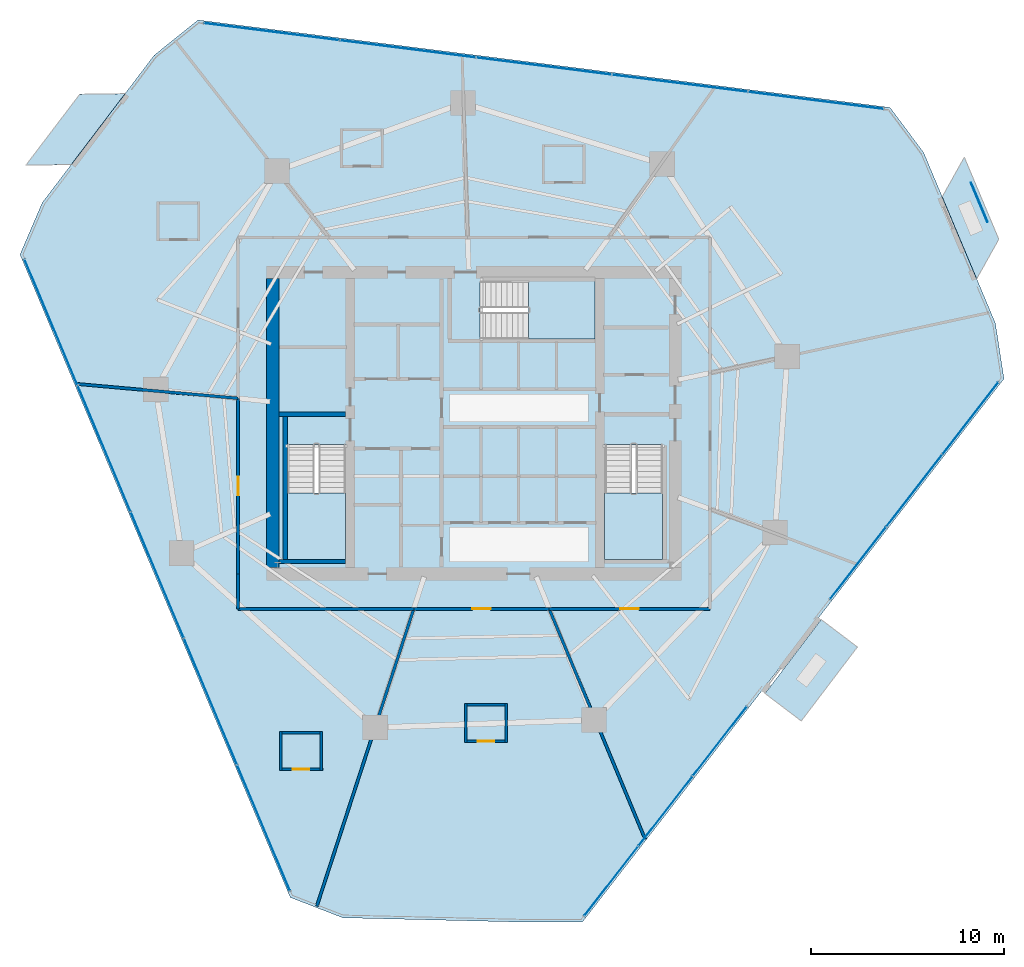
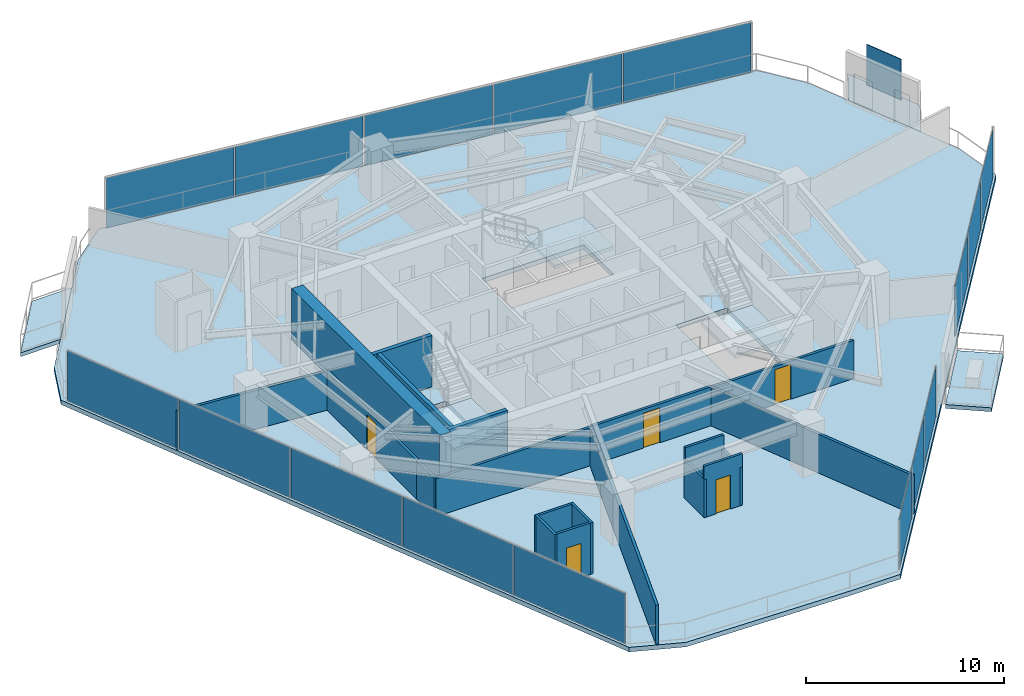
# One storey, part 25 of 30: 20 walls, 17 plates, 7 slabs, 5 doors, 5 openings, 7 elements without a shape of their own.
"""IFC4 building model written with IfcOpenShell, lengths in metres."""

import ifcopenshell
import ifcopenshell.guid

model = None  # the IFC model being written
_history = None  # IfcOwnerHistory: only IFC2X3 demands one
_inside = {}  # id of a spatial element -> (the spatial element, [elements in it])
_under = {}  # id of a project, library or spatial element -> (it, [spatial elements below it])
_declared = {}  # id of a project -> (the project, [libraries it declares])
_typed = {}  # id of a type object -> (the type object, [elements of that type])
_made_of = {}  # id of a material, layer set ... -> (it, [elements and type objects made of it])


def new_model(schema):
    """Start an empty IFC model of exactly this schema.

    Asked for "IFC4X3", IfcOpenShell would pick the latest addendum, in which some entities
    have other attributes; the version numbers below select the first issue.
    IFC2X3 requires an IfcOwnerHistory on every rooted entity: one is made here for all.
    """
    global model, _history
    if schema == "IFC4X3":
        model = ifcopenshell.file(schema_version=(4, 3, 0, 0))
    else:
        model = ifcopenshell.file(schema=schema)
    _inside.clear()
    _under.clear()
    _declared.clear()
    _typed.clear()
    _made_of.clear()
    _history = None
    if model.schema == "IFC2X3":
        org = make("IfcOrganization", Name="unknown")
        user = make(
            "IfcPersonAndOrganization",
            ThePerson=make("IfcPerson", FamilyName="unknown"),
            TheOrganization=org,
        )
        app = make(
            "IfcApplication",
            ApplicationDeveloper=org,
            Version="unknown",
            ApplicationFullName="unknown",
            ApplicationIdentifier="unknown",
        )
        _history = make(
            "IfcOwnerHistory",
            OwningUser=user,
            OwningApplication=app,
            ChangeAction="ADDED",
            CreationDate=0,
        )
    return model


def make(cls, **values):
    """One entity of the class cls with the attributes given. An attribute that is None is left unset."""
    return model.create_entity(
        cls, **{name: value for name, value in values.items() if value is not None}
    )


def rooted(cls, **values):
    """An entity with a GlobalId (a new one), such as an element, a storey or a relation."""
    return make(cls, GlobalId=ifcopenshell.guid.new(), OwnerHistory=_history, **values)


def si_unit(unit_type, name, prefix=None):
    """IfcSIUnit, for example si_unit("LENGTHUNIT", "METRE", prefix="MILLI")."""
    return make("IfcSIUnit", UnitType=unit_type, Prefix=prefix, Name=name)


def assignment(units):
    """IfcUnitAssignment: the units of a project."""
    return None if units is None else make("IfcUnitAssignment", Units=units)


def point(xyz):
    """IfcCartesianPoint."""
    return None if xyz is None else make("IfcCartesianPoint", Coordinates=xyz)


def direction(xyz):
    """IfcDirection."""
    return None if xyz is None else make("IfcDirection", DirectionRatios=xyz)


def frame(location, z_axis=None, x_axis=None):
    """IfcAxis2Placement3D, a coordinate frame: its origin and axes. An axis left out is left unset."""
    return make(
        "IfcAxis2Placement3D",
        Location=point(location),
        Axis=direction(z_axis),
        RefDirection=direction(x_axis),
    )


def frame_2d(location, x_axis=None):
    """IfcAxis2Placement2D, a coordinate frame in the plane: its origin and x axis."""
    return make(
        "IfcAxis2Placement2D", Location=point(location), RefDirection=direction(x_axis)
    )


def origin():
    """The frame at (0, 0, 0) with its axes left unset."""
    return frame((0.0, 0.0, 0.0))


def origin_2d():
    """The frame at (0, 0) in the plane with its x axis left unset."""
    return frame_2d((0.0, 0.0))


def place(relative_to, where):
    """IfcLocalPlacement: puts the frame where relative to a parent placement (None: the world)."""
    return make(
        "IfcLocalPlacement", PlacementRelTo=relative_to, RelativePlacement=where
    )


def context(
    kind, dimensions, precision=None, world=None, true_north=None, identifier=None
):
    """IfcGeometricRepresentationContext, for example the 3D "Model" context."""
    return make(
        "IfcGeometricRepresentationContext",
        ContextIdentifier=identifier,
        ContextType=kind,
        CoordinateSpaceDimension=dimensions,
        Precision=precision,
        WorldCoordinateSystem=world,
        TrueNorth=true_north,
    )


def subcontext(parent, identifier, kind, view, scale=None):
    """IfcGeometricRepresentationSubContext, for example "Body" below "Model"."""
    return make(
        "IfcGeometricRepresentationSubContext",
        ContextIdentifier=identifier,
        ContextType=kind,
        ParentContext=parent,
        TargetScale=scale,
        TargetView=view,
    )


def project(units=None, contexts=None):
    """IfcProject with its units and contexts."""
    return rooted(
        "IfcProject",
        Name="project",
        RepresentationContexts=contexts,
        UnitsInContext=assignment(units),
    )


def spatial(cls, under=None, at=None, **own):
    """A site, building, storey or space (cls), placed at a placement, below another one or the project."""
    s = rooted(cls, ObjectPlacement=at, **own)
    if under is not None:
        _under.setdefault(under.id(), (under, []))[1].append(s)
    return s


def polyline(points):
    """IfcPolyline through the points."""
    return make("IfcPolyline", Points=[point(p) for p in points])


def profile(cls, at=None, kind="AREA", **sizes):
    """A parametric profile (cls). Its sizes go by their IFC names, for example OverallWidth=200.0."""
    return make(cls, ProfileType=kind, Position=at, **sizes)


def rectangle(**sizes):
    """IfcRectangleProfileDef."""
    return profile("IfcRectangleProfileDef", **sizes)


def outline(outer, holes=None, kind="AREA"):
    """IfcArbitraryClosedProfileDef: a profile drawn as a closed curve; with holes, ...WithVoids."""
    if holes is None:
        return make("IfcArbitraryClosedProfileDef", ProfileType=kind, OuterCurve=outer)
    return make(
        "IfcArbitraryProfileDefWithVoids",
        ProfileType=kind,
        OuterCurve=outer,
        InnerCurves=holes,
    )


def extrude(swept, where, along, depth):
    """IfcExtrudedAreaSolid: the profile swept, set in the frame where, extruded along a direction by depth."""
    return make(
        "IfcExtrudedAreaSolid",
        SweptArea=swept,
        Position=where,
        ExtrudedDirection=direction(along),
        Depth=depth,
    )


def shape(context_of_items, identifier, shape_type, items):
    """IfcShapeRepresentation: the items that make up one representation, for example the "Body"."""
    return make(
        "IfcShapeRepresentation",
        ContextOfItems=context_of_items,
        RepresentationIdentifier=identifier,
        RepresentationType=shape_type,
        Items=items,
    )


def material(Name=None, Category=None):
    """IfcMaterial."""
    return make("IfcMaterial", Name=Name, Category=Category)


def layer(
    of_material, thickness, ventilated=None, Name=None, Category=None, Priority=None
):
    """IfcMaterialLayer: one layer of a wall or slab, of a material (None: an air gap)."""
    return make(
        "IfcMaterialLayer",
        Material=of_material,
        LayerThickness=thickness,
        IsVentilated=ventilated,
        Name=Name,
        Category=Category,
        Priority=Priority,
    )


def layer_set(layers, Name=None):
    """IfcMaterialLayerSet."""
    return make("IfcMaterialLayerSet", MaterialLayers=layers, LayerSetName=Name)


def made_of(thing, what):
    """Note that an element or type object is made of a material, layer set ...; save() writes the relation."""
    if what is not None:
        _made_of.setdefault(what.id(), (what, []))[1].append(thing)
    return thing


def type_object(cls, material=None, **own):
    """A type object (cls), such as IfcWallType, which elements share."""
    return made_of(rooted(cls, **own), material)


def element(
    cls,
    number,
    at=None,
    inside=None,
    cuts=None,
    type_object=None,
    material=None,
    context=None,
    identifier="Body",
    shape_type=None,
    held_by="IfcProductDefinitionShape",
    body=None,
    shapes=None,
    **own,
):
    """One element of the class cls, such as IfcWall. Its Tag is "e" and its number.

    at: its placement. inside: the storey or other place that contains it. cuts: it is an
    opening in that element (IfcRelVoidsElement). A single representation is given by context,
    identifier, shape_type and body (its items); several are given by shapes. held_by: the class
    of the entity that holds the representations. save() writes the other relations.
    """
    e = rooted(cls, Tag="e%d" % number, ObjectPlacement=at, **own)
    if body is not None:
        shapes = [shape(context, identifier, shape_type, body)]
    if shapes is not None:
        e.Representation = make(held_by, Representations=shapes)
    if inside is not None:
        _inside.setdefault(inside.id(), (inside, []))[1].append(e)
    if cuts is not None:
        rooted(
            "IfcRelVoidsElement", RelatingBuildingElement=cuts, RelatedOpeningElement=e
        )
    if type_object is not None:
        _typed.setdefault(type_object.id(), (type_object, []))[1].append(e)
    return made_of(e, material)


def fill(opening, filler):
    """IfcRelFillsElement: the door or window that sits in an opening."""
    return rooted(
        "IfcRelFillsElement",
        RelatingOpeningElement=opening,
        RelatedBuildingElement=filler,
    )


def aggregate(whole, parts):
    """IfcRelAggregates: a whole, such as a stair, and the parts it consists of."""
    return rooted("IfcRelAggregates", RelatingObject=whole, RelatedObjects=parts)


def save(model, path):
    """Write the relations noted so far, then the file.

    IfcRelAggregates (storeys below a building ...), IfcRelContainedInSpatialStructure (elements
    in a storey), IfcRelDefinesByType, IfcRelAssociatesMaterial and IfcRelDeclares: one each for
    every whole, place, type object, material and project.
    """
    for whole, parts in _under.values():
        aggregate(whole, parts)
    for where, things in _inside.values():
        rooted(
            "IfcRelContainedInSpatialStructure",
            RelatedElements=things,
            RelatingStructure=where,
        )
    for kind, things in _typed.values():
        rooted("IfcRelDefinesByType", RelatedObjects=things, RelatingType=kind)
    for what, things in _made_of.values():
        rooted("IfcRelAssociatesMaterial", RelatedObjects=things, RelatingMaterial=what)
    for by, libraries in _declared.values():
        rooted("IfcRelDeclares", RelatingContext=by, RelatedDefinitions=libraries)
    model.write(path)


model = new_model("IFC4")

# Units and contexts
model_context = context("Model", 3, precision=1e-05, world=origin(), true_north=direction((0.0, 1.0)))
body_context = subcontext(model_context, "Body", "Model", "MODEL_VIEW")
ifc_project = project(units=[si_unit("LENGTHUNIT", "METRE"), si_unit("AREAUNIT", "SQUARE_METRE"), si_unit("VOLUMEUNIT", "CUBIC_METRE"), si_unit("PLANEANGLEUNIT", "RADIAN"), si_unit("MASSUNIT", "GRAM", prefix="KILO")], contexts=[model_context])

# Site, building, storey
site_placement = place(None, origin())
site = spatial("IfcSite", under=ifc_project, at=site_placement, CompositionType="ELEMENT")
building_placement = place(site_placement, origin())
building = spatial("IfcBuilding", under=site, at=building_placement, Name="Qarnah Convention Tower", CompositionType="ELEMENT")
storey_placement = place(building_placement, frame((0.0, 0.0, 40.800048828125)))
storey = spatial("IfcBuildingStorey", under=building, at=storey_placement, Name="L09", CompositionType="ELEMENT", Elevation=40.800048828125)

# Curtain wall, plates
ifc_material_1 = material(Name="Tempered Low-E dark glass", Category="glass")
ifc_layer_1 = layer(ifc_material_1, 0.16796875)
ifc_layer_set_1 = layer_set([ifc_layer_1], Name="Tempered Low-E dark glass")
curtain_wall_type = type_object("IfcCurtainWallType", Name="CWS-01", PredefinedType="NOTDEFINED", material=ifc_layer_set_1)
curtain_wall_1_placement = place(storey_placement, origin())
curtain_wall_1 = element("IfcCurtainWall", 1, at=curtain_wall_1_placement, inside=storey, type_object=curtain_wall_type, Name="L09 unitised curtain wall CW-L09-F1", PredefinedType="NOTDEFINED")
ifc_layer_2 = layer(ifc_material_1, 0.028076171875)
ifc_layer_set_2 = layer_set([ifc_layer_2], Name="Tempered Low-E dark glass")
plate_type_1 = type_object("IfcPlateType", Name="PNL-T1", PredefinedType="CURTAIN_PANEL", material=ifc_layer_set_2)
plate_1_placement = place(storey_placement, frame((26.316162109375, 5.470458984375, 0.0400390625), z_axis=(0.0, 0.0, 1.0), x_axis=(-0.387513462631, 0.921864044358, 0.0)))
plate_1 = element("IfcPlate", 2, at=plate_1_placement, type_object=plate_type_1, Name="CW-L09-F1 curtain panel 1.1", PredefinedType="CURTAIN_PANEL", context=body_context, shape_type="SweptSolid", body=[
    extrude(rectangle(XDim=7.0107421875, YDim=0.028076171875, at=origin_2d()), origin(), (0.0, 0.0, 1.0), 3.090087890625),
])
plate_2_placement = place(storey_placement, frame((23.568359375, 12.007080078125, 0.0400390625), z_axis=(0.0, 0.0, 1.0), x_axis=(-0.387513462631, 0.921864044358, 0.0)))
plate_2 = element("IfcPlate", 3, at=plate_2_placement, type_object=plate_type_1, Name="CW-L09-F1 curtain panel 2.1", PredefinedType="CURTAIN_PANEL", context=body_context, shape_type="SweptSolid", body=[
    extrude(rectangle(XDim=7.0107421875, YDim=0.028076171875, at=origin_2d()), origin(), (0.0, 0.0, 1.0), 3.090087890625),
])
plate_3_placement = place(storey_placement, frame((20.820556640625, 18.5439453125, 0.0400390625), z_axis=(0.0, 0.0, 1.0), x_axis=(-0.387513462631, 0.921864044358, 0.0)))
plate_3 = element("IfcPlate", 4, at=plate_3_placement, type_object=plate_type_1, Name="CW-L09-F1 curtain panel 3.1", PredefinedType="CURTAIN_PANEL", context=body_context, shape_type="SweptSolid", body=[
    extrude(rectangle(XDim=7.0107421875, YDim=0.028076171875, at=origin_2d()), origin(), (0.0, 0.0, 1.0), 3.090087890625),
])
plate_4_placement = place(storey_placement, frame((18.07275390625, 25.080810546875, 0.0400390625), z_axis=(0.0, 0.0, 1.0), x_axis=(-0.387513462631, 0.921864044358, 0.0)))
plate_4 = element("IfcPlate", 5, at=plate_4_placement, type_object=plate_type_1, Name="CW-L09-F1 curtain panel 4.1", PredefinedType="CURTAIN_PANEL", context=body_context, shape_type="SweptSolid", body=[
    extrude(rectangle(XDim=7.0107421875, YDim=0.028076171875, at=origin_2d()), origin(), (0.0, 0.0, 1.0), 3.090087890625),
])
plate_5_placement = place(storey_placement, frame((15.324951171875, 31.61767578125, 0.0400390625), z_axis=(0.0, 0.0, 1.0), x_axis=(-0.387513462631, 0.921864044358, 0.0)))
plate_5 = element("IfcPlate", 6, at=plate_5_placement, type_object=plate_type_1, Name="CW-L09-F1 curtain panel 5.1", PredefinedType="CURTAIN_PANEL", context=body_context, shape_type="SweptSolid", body=[
    extrude(rectangle(XDim=7.0107421875, YDim=0.028076171875, at=origin_2d()), origin(), (0.0, 0.0, 1.0), 3.090087890625),
])
aggregate(curtain_wall_1, [plate_1, plate_2, plate_3, plate_4, plate_5])

curtain_wall_2_placement = place(storey_placement, origin())
curtain_wall_2 = element("IfcCurtainWall", 7, at=curtain_wall_2_placement, inside=storey, type_object=curtain_wall_type, Name="L09 unitised curtain wall CW-L09-F2", PredefinedType="NOTDEFINED")
plate_6_placement = place(storey_placement, frame((26.726318359375, 46.6376953125, 0.0400390625), z_axis=(0.0, 0.0, 1.0), x_axis=(0.992116488383, -0.125319086651, 0.0)))
plate_6 = element("IfcPlate", 8, at=plate_6_placement, type_object=plate_type_1, Name="CW-L09-F2 curtain panel 1.1", PredefinedType="CURTAIN_PANEL", context=body_context, shape_type="SweptSolid", body=[
    extrude(rectangle(XDim=7.0107421875, YDim=0.028076171875, at=origin_2d()), origin(), (0.0, 0.0, 1.0), 3.090087890625),
])
plate_7_placement = place(storey_placement, frame((33.76123046875, 45.7490234375, 0.0400390625), z_axis=(0.0, 0.0, 1.0), x_axis=(0.992116488383, -0.125319086651, 0.0)))
plate_7 = element("IfcPlate", 9, at=plate_7_placement, type_object=plate_type_1, Name="CW-L09-F2 curtain panel 2.1", PredefinedType="CURTAIN_PANEL", context=body_context, shape_type="SweptSolid", body=[
    extrude(rectangle(XDim=7.0107421875, YDim=0.028076171875, at=origin_2d()), origin(), (0.0, 0.0, 1.0), 3.090087890625),
])
plate_8_placement = place(storey_placement, frame((40.7958984375, 44.860595703125, 0.0400390625), z_axis=(0.0, 0.0, 1.0), x_axis=(0.992116488383, -0.125319086651, 0.0)))
plate_8 = element("IfcPlate", 10, at=plate_8_placement, type_object=plate_type_1, Name="CW-L09-F2 curtain panel 3.1", PredefinedType="CURTAIN_PANEL", context=body_context, shape_type="SweptSolid", body=[
    extrude(rectangle(XDim=7.0107421875, YDim=0.028076171875, at=origin_2d()), origin(), (0.0, 0.0, 1.0), 3.090087890625),
])
plate_9_placement = place(storey_placement, frame((47.830810546875, 43.971923828125, 0.0400390625), z_axis=(0.0, 0.0, 1.0), x_axis=(0.992116488383, -0.125319086651, 0.0)))
plate_9 = element("IfcPlate", 11, at=plate_9_placement, type_object=plate_type_1, Name="CW-L09-F2 curtain panel 4.1", PredefinedType="CURTAIN_PANEL", context=body_context, shape_type="SweptSolid", body=[
    extrude(rectangle(XDim=7.0107421875, YDim=0.028076171875, at=origin_2d()), origin(), (0.0, 0.0, 1.0), 3.090087890625),
])
plate_10_placement = place(storey_placement, frame((54.865478515625, 43.083251953125, 0.0400390625), z_axis=(0.0, 0.0, 1.0), x_axis=(0.992116488383, -0.125319086651, 0.0)))
plate_10 = element("IfcPlate", 12, at=plate_10_placement, type_object=plate_type_1, Name="CW-L09-F2 curtain panel 5.1", PredefinedType="CURTAIN_PANEL", context=body_context, shape_type="SweptSolid", body=[
    extrude(rectangle(XDim=7.0107421875, YDim=0.028076171875, at=origin_2d()), origin(), (0.0, 0.0, 1.0), 3.090087890625),
])
aggregate(curtain_wall_2, [plate_6, plate_7, plate_8, plate_9, plate_10])

curtain_wall_3_placement = place(storey_placement, origin())
curtain_wall_3 = element("IfcCurtainWall", 13, at=curtain_wall_3_placement, inside=storey, type_object=curtain_wall_type, Name="L09 unitised curtain wall CW-L09-F3", PredefinedType="NOTDEFINED")
plate_11_placement = place(storey_placement, frame((62.860107421875, 26.653564453125, 0.0400390625), z_axis=(0.0, 0.0, 1.0), x_axis=(-0.613064422179, -0.790032919731, 0.0)))
plate_11 = element("IfcPlate", 14, at=plate_11_placement, type_object=plate_type_1, Name="CW-L09-F3 curtain panel 1.1", PredefinedType="CURTAIN_PANEL", context=body_context, shape_type="SweptSolid", body=[
    extrude(rectangle(XDim=4.662841796875, YDim=0.028076171875, at=origin_2d()), origin(), (0.0, 0.0, 1.0), 3.090087890625),
])
plate_12_placement = place(storey_placement, frame((59.952392578125, 22.906494140625, 0.0400390625), z_axis=(0.0, 0.0, 1.0), x_axis=(-0.613064422179, -0.790032919731, 0.0)))
plate_12 = element("IfcPlate", 15, at=plate_12_placement, type_object=plate_type_1, Name="CW-L09-F3 curtain panel 2.1", PredefinedType="CURTAIN_PANEL", context=body_context, shape_type="SweptSolid", body=[
    extrude(rectangle(XDim=4.662841796875, YDim=0.028076171875, at=origin_2d()), origin(), (0.0, 0.0, 1.0), 3.090087890625),
])
plate_13_placement = place(storey_placement, frame((57.044921875, 19.159423828125, 0.0400390625), z_axis=(0.0, 0.0, 1.0), x_axis=(-0.613064422179, -0.790032919731, 0.0)))
plate_13 = element("IfcPlate", 16, at=plate_13_placement, type_object=plate_type_1, Name="CW-L09-F3 curtain panel 3.1", PredefinedType="CURTAIN_PANEL", context=body_context, shape_type="SweptSolid", body=[
    extrude(rectangle(XDim=4.662841796875, YDim=0.028076171875, at=origin_2d()), origin(), (0.0, 0.0, 1.0), 3.090087890625),
])
aggregate(curtain_wall_3, [plate_11, plate_12, plate_13])

curtain_wall_4_placement = place(storey_placement, origin())
curtain_wall_4 = element("IfcCurtainWall", 17, at=curtain_wall_4_placement, inside=storey, type_object=curtain_wall_type, Name="L09 unitised curtain wall CW-L09-F4", PredefinedType="NOTDEFINED")
plate_14_placement = place(storey_placement, frame((49.89990234375, 9.951904296875, 0.0400390625), z_axis=(0.0, 0.0, 1.0), x_axis=(-0.613073122796, -0.790026167987, 0.0)))
plate_14 = element("IfcPlate", 18, at=plate_14_placement, type_object=plate_type_1, Name="CW-L09-F4 curtain panel 1.1", PredefinedType="CURTAIN_PANEL", context=body_context, shape_type="SweptSolid", body=[
    extrude(rectangle(XDim=4.49755859375, YDim=0.028076171875, at=origin_2d()), origin(), (0.0, 0.0, 1.0), 3.090087890625),
])
plate_15_placement = place(storey_placement, frame((47.093505859375, 6.33544921875, 0.0400390625), z_axis=(0.0, 0.0, 1.0), x_axis=(-0.613073122796, -0.790026167987, 0.0)))
plate_15 = element("IfcPlate", 19, at=plate_15_placement, type_object=plate_type_1, Name="CW-L09-F4 curtain panel 2.1", PredefinedType="CURTAIN_PANEL", context=body_context, shape_type="SweptSolid", body=[
    extrude(rectangle(XDim=4.49755859375, YDim=0.028076171875, at=origin_2d()), origin(), (0.0, 0.0, 1.0), 3.090087890625),
])
plate_16_placement = place(storey_placement, frame((44.287109375, 2.71923828125, 0.0400390625), z_axis=(0.0, 0.0, 1.0), x_axis=(-0.613073122796, -0.790026167987, 0.0)))
plate_16 = element("IfcPlate", 20, at=plate_16_placement, type_object=plate_type_1, Name="CW-L09-F4 curtain panel 3.1", PredefinedType="CURTAIN_PANEL", context=body_context, shape_type="SweptSolid", body=[
    extrude(rectangle(XDim=4.49755859375, YDim=0.028076171875, at=origin_2d()), origin(), (0.0, 0.0, 1.0), 3.090087890625),
])
aggregate(curtain_wall_4, [plate_14, plate_15, plate_16])

# Plate
ifc_material_2 = material(Name="Black anodised aluminium", Category="aluminium")
ifc_layer_3 = layer(ifc_material_2, 0.044921875)
ifc_layer_set_3 = layer_set([ifc_layer_3], Name="Black anodised aluminium")
plate_type_2 = type_object("IfcPlateType", Name="SCR-BAL-18", PredefinedType="USERDEFINED", material=ifc_layer_set_3)
plate_17_placement = place(storey_placement, frame((63.31591796875, 37.81494140625, 0.0), z_axis=(0.0, 0.0, 1.0), x_axis=(0.387639472466, -0.921811064908, 0.0)))
element("IfcPlate", 21, at=plate_17_placement, inside=storey, type_object=plate_type_2, Name="L09 perforated desert solar screen BAL-L09-C1", ObjectType="SCREEN", PredefinedType="USERDEFINED", context=body_context, shape_type="SweptSolid", body=[
    extrude(rectangle(XDim=2.199951171875, YDim=0.044921875, at=origin_2d()), origin(), (0.0, 0.0, 1.0), 2.5),
])

# Slabs
ifc_material_3 = material(Name="Concrete C45/55", Category="concrete")
ifc_layer_4 = layer(ifc_material_3, 0.239990234375)
ifc_layer_set_4 = layer_set([ifc_layer_4], Name="Concrete C45/55")
slab_type_1 = type_object("IfcSlabType", Name="SLB-BAL-240", PredefinedType="USERDEFINED", material=ifc_layer_set_4)
slab_1_placement = place(storey_placement, frame((0.0, 0.0, -0.239990234375)))
element("IfcSlab", 22, at=slab_1_placement, inside=storey, type_object=slab_type_1, Name="L09 cantilevered balcony slab BAL-L09-C1", ObjectType="BALCONY", PredefinedType="USERDEFINED", context=body_context, shape_type="SweptSolid", body=[
    extrude(outline(polyline([(62.5419921875, 40.14501953125), (64.324951171875, 35.905029296875), (63.179931640625, 33.85498046875), (61.39697265625, 38.096923828125), (62.5419921875, 40.14501953125)])), origin(), (0.0, 0.0, 1.0), 0.239990234375),
])
slab_2_placement = place(storey_placement, frame((0.0, 0.0, -0.239990234375)))
element("IfcSlab", 23, at=slab_2_placement, inside=storey, type_object=slab_type_1, Name="L09 cantilevered balcony slab BAL-L09-C2", ObjectType="BALCONY", PredefinedType="USERDEFINED", context=body_context, shape_type="SweptSolid", body=[
    extrude(outline(polyline([(14.031005859375, 39.735107421875), (16.81201171875, 43.39892578125), (19.157958984375, 43.431884765625), (16.376953125, 39.76806640625), (14.031005859375, 39.735107421875)])), origin(), (0.0, 0.0, 1.0), 0.239990234375),
])
slab_3_placement = place(storey_placement, frame((0.0, 0.0, -0.239990234375)))
element("IfcSlab", 24, at=slab_3_placement, inside=storey, type_object=slab_type_1, Name="L09 cantilevered balcony slab VN-L09", ObjectType="BALCONY", PredefinedType="USERDEFINED", context=body_context, shape_type="SweptSolid", body=[
    extrude(outline(polyline([(55.14208984375, 16.2451171875), (57.013916015625, 14.823974609375), (54.112060546875, 11.0009765625), (52.239990234375, 12.422119140625), (55.14208984375, 16.2451171875)])), origin(), (0.0, 0.0, 1.0), 0.239990234375),
])

# Stair, slab
ifc_material_4 = material(Name="Concrete C50/60", Category="concrete")
stair_type = type_object("IfcStairType", Name="STR-HTL", PredefinedType="HALF_TURN_STAIR", material=ifc_material_4)
stair_1_placement = place(storey_placement, origin())
stair_1 = element("IfcStair", 25, at=stair_1_placement, inside=storey, type_object=stair_type, Name="L09 Core exit stair ST-1", PredefinedType="HALF_TURN_STAIR")
ifc_layer_5 = layer(ifc_material_4, 0.199951171875)
ifc_layer_set_5 = layer_set([ifc_layer_5], Name="Concrete C50/60")
slab_type_2 = type_object("IfcSlabType", Name="SLB-LANDING-200", PredefinedType="LANDING", material=ifc_layer_set_5)
slab_4_placement = place(storey_placement, frame((0.0, 0.0, 1.52490234375)))
slab_4 = element("IfcSlab", 26, at=slab_4_placement, type_object=slab_type_2, Name="ST-1 landing 1", PredefinedType="LANDING", context=body_context, shape_type="SweptSolid", body=[
    extrude(outline(polyline([(27.550048828125, 22.780029296875), (27.550048828125, 19.35009765625), (30.550048828125, 19.35009765625), (30.550048828125, 22.780029296875), (27.550048828125, 22.780029296875)])), origin(), (0.0, 0.0, 1.0), 0.199951171875),
])
aggregate(stair_1, [slab_4])

stair_2_placement = place(storey_placement, origin())
stair_2 = element("IfcStair", 27, at=stair_2_placement, inside=storey, type_object=stair_type, Name="L09 Core exit stair ST-2", PredefinedType="HALF_TURN_STAIR")
slab_5_placement = place(storey_placement, frame((0.0, 0.0, 1.52490234375)))
slab_5 = element("IfcSlab", 28, at=slab_5_placement, type_object=slab_type_2, Name="ST-2 landing 1", PredefinedType="LANDING", context=body_context, shape_type="SweptSolid", body=[
    extrude(outline(polyline([(43.949951171875, 22.780029296875), (43.949951171875, 19.35009765625), (46.949951171875, 19.35009765625), (46.949951171875, 22.780029296875), (43.949951171875, 22.780029296875)])), origin(), (0.0, 0.0, 1.0), 0.199951171875),
])
aggregate(stair_2, [slab_5])

stair_3_placement = place(storey_placement, origin())
stair_3 = element("IfcStair", 29, at=stair_3_placement, inside=storey, type_object=stair_type, Name="L09 Core exit stair ST-3", PredefinedType="HALF_TURN_STAIR")
slab_6_placement = place(storey_placement, frame((0.0, 0.0, 1.52490234375)))
slab_6 = element("IfcSlab", 30, at=slab_6_placement, type_object=slab_type_2, Name="ST-3 landing 1", PredefinedType="LANDING", context=body_context, shape_type="SweptSolid", body=[
    extrude(outline(polyline([(40.02001953125, 30.75), (43.449951171875, 30.75), (43.449951171875, 33.75), (40.02001953125, 33.75), (40.02001953125, 30.75)])), origin(), (0.0, 0.0, 1.0), 0.199951171875),
])
aggregate(stair_3, [slab_6])

# Slab
ifc_layer_6 = layer(ifc_material_3, 0.280029296875)
ifc_layer_set_6 = layer_set([ifc_layer_6], Name="Concrete C45/55")
slab_type_3 = type_object("IfcSlabType", Name="SLB-TWR-280", PredefinedType="FLOOR", material=ifc_layer_set_6)
slab_7_placement = place(storey_placement, frame((0.0, 0.0, -0.280029296875)))
element("IfcSlab", 31, at=slab_7_placement, inside=storey, type_object=slab_type_3, Name="L09 structural floor slab", PredefinedType="FLOOR", context=body_context, shape_type="SweptSolid", body=[
    extrude(outline(polyline([(58.696044921875, 42.719970703125), (22.926025390625, 47.239013671875), (20.659912109375, 45.4169921875), (14.8701171875, 37.7890625), (13.72412109375, 35.115966796875), (27.696044921875, 1.87890625), (30.406982421875, 0.827880859375), (39.907958984375, 0.60009765625), (42.794921875, 0.60009765625), (64.593017578125, 28.68994140625), (64.14794921875, 31.56298828125), (60.43701171875, 40.39208984375), (58.696044921875, 42.719970703125)]), holes=[polyline([(27.550048828125, 25.300048828125), (27.550048828125, 19.35009765625), (30.550048828125, 19.35009765625), (30.550048828125, 25.300048828125), (27.550048828125, 25.300048828125)]), polyline([(43.949951171875, 25.300048828125), (43.949951171875, 19.35009765625), (46.949951171875, 19.35009765625), (46.949951171875, 25.300048828125), (43.949951171875, 25.300048828125)]), polyline([(37.5, 30.75), (43.449951171875, 30.75), (43.449951171875, 33.75), (37.5, 33.75), (37.5, 30.75)])]), origin(), (0.0, 0.0, 1.0), 0.280029296875),
])

# Walls
ifc_material_5 = material(Name="Concrete C60/75", Category="concrete")
ifc_layer_7 = layer(ifc_material_5, 0.64990234375)
ifc_layer_set_7 = layer_set([ifc_layer_7], Name="Concrete C60/75")
wall_type_1 = type_object("IfcWallType", Name="WL-CORE-650", PredefinedType="SHEAR", material=ifc_layer_set_7)
wall_1_placement = place(storey_placement, frame((26.800048828125, 18.925048828125, 0.0), z_axis=(0.0, 0.0, 1.0), x_axis=(0.0, 1.0, 0.0)))
element("IfcWall", 32, at=wall_1_placement, inside=storey, type_object=wall_type_1, Name="L09 core west shear wall", PredefinedType="SHEAR", context=body_context, shape_type="SweptSolid", body=[
    extrude(rectangle(XDim=14.949951171875, YDim=0.64990234375, at=frame_2d((7.47509765625, 0.0))), origin(), (0.0, 0.0, 1.0), 3.169921875),
])
ifc_layer_8 = layer(ifc_material_5, 0.219970703125)
ifc_layer_set_8 = layer_set([ifc_layer_8], Name="Concrete C60/75")
wall_type_2 = type_object("IfcWallType", Name="WL-CORE-STAIR-220", PredefinedType="SHEAR", material=ifc_layer_set_8)
wall_2_placement = place(storey_placement, frame((27.125, 26.860107421875, 0.0), z_axis=(0.0, 0.0, 1.0), x_axis=(1.0, 0.0, 0.0)))
element("IfcWall", 33, at=wall_2_placement, inside=storey, type_object=wall_type_2, Name="L09 stair shaft shear wall SW-L09-ST1N", PredefinedType="SHEAR", context=body_context, shape_type="SweptSolid", body=[
    extrude(rectangle(XDim=3.425048828125, YDim=0.219970703125, at=frame_2d((1.71240234375, 0.0))), origin(), (0.0, 0.0, 1.0), 3.169921875),
])
wall_3_placement = place(storey_placement, frame((27.43994140625, 19.35009765625, 0.0), z_axis=(0.0, 0.0, 1.0), x_axis=(0.0, 1.0, 0.0)))
element("IfcWall", 34, at=wall_3_placement, inside=storey, type_object=wall_type_2, Name="L09 stair shaft shear wall SW-L09-ST1W", PredefinedType="SHEAR", context=body_context, shape_type="SweptSolid", body=[
    extrude(rectangle(XDim=7.39990234375, YDim=0.219970703125, at=frame_2d((3.699951171875, 0.0))), origin(), (0.0, 0.0, 1.0), 3.169921875),
])
wall_4_placement = place(storey_placement, frame((27.125, 19.239990234375, 0.0), z_axis=(0.0, 0.0, 1.0), x_axis=(1.0, 0.0, 0.0)))
element("IfcWall", 35, at=wall_4_placement, inside=storey, type_object=wall_type_2, Name="L09 stair shaft shear wall SW-L09-ST1S", PredefinedType="SHEAR", context=body_context, shape_type="SweptSolid", body=[
    extrude(rectangle(XDim=3.425048828125, YDim=0.219970703125, at=frame_2d((1.71240234375, 0.0))), origin(), (0.0, 0.0, 1.0), 3.169921875),
])
ifc_material_6 = material(Name="Gypsum partition board")
ifc_layer_9 = layer(ifc_material_6, 0.14990234375)
ifc_layer_set_9 = layer_set([ifc_layer_9], Name="Gypsum partition board")
wall_type_3 = type_object("IfcWallType", Name="WL-SUITE-150", PredefinedType="PARTITIONING", material=ifc_layer_set_9)
wall_5_placement = place(storey_placement, frame((16.612060546875, 28.428955078125, 0.0), z_axis=(0.0, 0.0, 1.0), x_axis=(0.99605717102, -0.088713652045, 0.0)))
element("IfcWall", 36, at=wall_5_placement, inside=storey, type_object=wall_type_3, Name="L09 interior wall IW-L09-R-30", PredefinedType="PARTITIONING", context=body_context, shape_type="SweptSolid", body=[
    extrude(rectangle(XDim=8.421142578125, YDim=0.14990234375, at=frame_2d((4.21044921875, 0.0))), origin(), (0.0, 0.0, 1.0), 2.39501953125),
])
wall_6_placement = place(storey_placement, frame((29.070068359375, 1.431884765625, 0.0), z_axis=(0.0, 0.0, 1.0), x_axis=(0.309999825154, 0.950736613582, 0.0)))
element("IfcWall", 37, at=wall_6_placement, inside=storey, type_object=wall_type_3, Name="L09 interior wall IW-L09-R-34", PredefinedType="PARTITIONING", context=body_context, shape_type="SweptSolid", body=[
    extrude(rectangle(XDim=16.16455078125, YDim=0.14990234375, at=frame_2d((8.082275390625, 0.0))), origin(), (0.0, 0.0, 1.0), 2.39501953125),
])
wall_7_placement = place(storey_placement, frame((34.0810546875, 16.800048828125, 0.0), z_axis=(0.0, 0.0, 1.0), x_axis=(-1.0, 0.0, 0.0)))
element("IfcWall", 38, at=wall_7_placement, inside=storey, type_object=wall_type_3, Name="L09 interior wall IW-L09-R-35", PredefinedType="PARTITIONING", context=body_context, shape_type="SweptSolid", body=[
    extrude(rectangle(XDim=9.0810546875, YDim=0.14990234375, at=frame_2d((4.54052734375, 0.0))), origin(), (0.0, 0.0, 1.0), 2.35498046875),
])
wall_8_placement = place(storey_placement, frame((25.0, 16.800048828125, 0.0), z_axis=(0.0, 0.0, 1.0), x_axis=(0.0, 1.0, 0.0)))
element("IfcWall", 39, at=wall_8_placement, inside=storey, type_object=wall_type_3, Name="L09 interior wall IW-L09-R-36", PredefinedType="PARTITIONING", context=body_context, shape_type="SweptSolid", body=[
    extrude(rectangle(XDim=1.800048828125, YDim=0.14990234375, at=frame_2d((0.89990234375, 0.0))), origin(), (0.0, 0.0, 1.0), 2.35498046875),
])

# Wall, opening, door
wall_9_placement = place(storey_placement, frame((25.0, 18.60009765625, 0.0), z_axis=(0.0, 0.0, 1.0), x_axis=(0.0, 1.0, 0.0)))
wall_9 = element("IfcWall", 40, at=wall_9_placement, inside=storey, type_object=wall_type_3, Name="L09 interior wall IW-L09-R-37", PredefinedType="PARTITIONING", context=body_context, shape_type="SweptSolid", body=[
    extrude(rectangle(XDim=9.081787109375, YDim=0.14990234375, at=frame_2d((4.541015625, 0.0))), origin(), (0.0, 0.0, 1.0), 2.39501953125),
])
opening_1_placement = place(wall_9_placement, frame((4.06591796875, 0.0, 0.0)))
opening_1 = element("IfcOpeningElement", 41, at=opening_1_placement, cuts=wall_9, Name="Opening D-0923", PredefinedType="OPENING", context=body_context, shape_type="SweptSolid", body=[
    extrude(rectangle(XDim=0.949951171875, YDim=2.14990234375, at=frame_2d((0.47509765625, 1.074951171875))), frame((0.0, 0.0849609375, 0.0), z_axis=(0.0, -1.0, 0.0), x_axis=(1.0, 0.0, 0.0)), (0.0, 0.0, 1.0), 0.169921875),
])
ifc_material_7 = material(Name="Oak timber veneer", Category="wood")
door_type_1 = type_object("IfcDoorType", Name="DT-HOTEL-950", OperationType="NOTDEFINED", PredefinedType="DOOR", material=ifc_material_7)
door_1_placement = place(opening_1_placement, origin())
door_1 = element("IfcDoor", 42, at=door_1_placement, inside=storey, type_object=door_type_1, Name="Door D-0923", OperationType="SINGLE_SWING_LEFT", OverallHeight=2.14990234375, OverallWidth=0.949951171875, PredefinedType="DOOR", context=body_context, shape_type="SweptSolid", body=[
    extrude(rectangle(XDim=0.949951171875, YDim=2.14990234375, at=frame_2d((0.47509765625, 1.074951171875))), frame((0.0, 0.02490234375, 0.0), z_axis=(0.0, -1.0, 0.0), x_axis=(1.0, 0.0, 0.0)), (0.0, 0.0, 1.0), 0.050048828125),
])
fill(opening_1, door_1)

# Wall
wall_10_placement = place(storey_placement, frame((46.0400390625, 4.89501953125, 0.0), z_axis=(0.0, 0.0, 1.0), x_axis=(-0.384648987158, 0.9230629213, 0.0)))
element("IfcWall", 43, at=wall_10_placement, inside=storey, type_object=wall_type_3, Name="L09 interior wall IW-L09-R-38", PredefinedType="PARTITIONING", context=body_context, shape_type="SweptSolid", body=[
    extrude(rectangle(XDim=12.897216796875, YDim=0.14990234375, at=frame_2d((6.44873046875, 0.0))), origin(), (0.0, 0.0, 1.0), 2.39501953125),
])

# Wall, opening, door
wall_11_placement = place(storey_placement, frame((41.0791015625, 16.800048828125, 0.0), z_axis=(0.0, 0.0, 1.0), x_axis=(-1.0, 0.0, 0.0)))
wall_11 = element("IfcWall", 44, at=wall_11_placement, inside=storey, type_object=wall_type_3, Name="L09 interior wall IW-L09-R-39", PredefinedType="PARTITIONING", context=body_context, shape_type="SweptSolid", body=[
    extrude(rectangle(XDim=6.998046875, YDim=0.14990234375, at=frame_2d((3.4990234375, 0.0))), origin(), (0.0, 0.0, 1.0), 2.39501953125),
])
opening_2_placement = place(wall_11_placement, frame((3.02392578125, 0.0, 0.0)))
opening_2 = element("IfcOpeningElement", 45, at=opening_2_placement, cuts=wall_11, Name="Opening D-0925", PredefinedType="OPENING", context=body_context, shape_type="SweptSolid", body=[
    extrude(rectangle(XDim=0.949951171875, YDim=2.14990234375, at=frame_2d((0.47509765625, 1.074951171875))), frame((0.0, 0.0849609375, 0.0), z_axis=(0.0, -1.0, 0.0), x_axis=(1.0, 0.0, 0.0)), (0.0, 0.0, 1.0), 0.169921875),
])
door_2_placement = place(opening_2_placement, origin())
door_2 = element("IfcDoor", 46, at=door_2_placement, inside=storey, type_object=door_type_1, Name="Door D-0925", OperationType="SINGLE_SWING_LEFT", OverallHeight=2.14990234375, OverallWidth=0.949951171875, PredefinedType="DOOR", context=body_context, shape_type="SweptSolid", body=[
    extrude(rectangle(XDim=0.949951171875, YDim=2.14990234375, at=frame_2d((0.47509765625, 1.074951171875))), frame((0.0, 0.02490234375, 0.0), z_axis=(0.0, -1.0, 0.0), x_axis=(1.0, 0.0, 0.0)), (0.0, 0.0, 1.0), 0.050048828125),
])
fill(opening_2, door_2)

wall_12_placement = place(storey_placement, frame((49.39990234375, 16.800048828125, 0.0), z_axis=(0.0, 0.0, 1.0), x_axis=(-1.0, 0.0, 0.0)))
wall_12 = element("IfcWall", 47, at=wall_12_placement, inside=storey, type_object=wall_type_3, Name="L09 interior wall IW-L09-R-43", PredefinedType="PARTITIONING", context=body_context, shape_type="SweptSolid", body=[
    extrude(rectangle(XDim=8.32080078125, YDim=0.14990234375, at=frame_2d((4.160400390625, 0.0))), origin(), (0.0, 0.0, 1.0), 2.35498046875),
])
opening_3_placement = place(wall_12_placement, frame((3.68505859375, 0.0, 0.0)))
opening_3 = element("IfcOpeningElement", 48, at=opening_3_placement, cuts=wall_12, Name="Opening D-0927", PredefinedType="OPENING", context=body_context, shape_type="SweptSolid", body=[
    extrude(rectangle(XDim=0.949951171875, YDim=2.14990234375, at=frame_2d((0.47509765625, 1.074951171875))), frame((0.0, 0.0849609375, 0.0), z_axis=(0.0, -1.0, 0.0), x_axis=(1.0, 0.0, 0.0)), (0.0, 0.0, 1.0), 0.169921875),
])
door_3_placement = place(opening_3_placement, origin())
door_3 = element("IfcDoor", 49, at=door_3_placement, inside=storey, type_object=door_type_1, Name="Door D-0927", OperationType="SINGLE_SWING_LEFT", OverallHeight=2.14990234375, OverallWidth=0.949951171875, PredefinedType="DOOR", context=body_context, shape_type="SweptSolid", body=[
    extrude(rectangle(XDim=0.949951171875, YDim=2.14990234375, at=frame_2d((0.47509765625, 1.074951171875))), frame((0.0, 0.02490234375, 0.0), z_axis=(0.0, -1.0, 0.0), x_axis=(1.0, 0.0, 0.0)), (0.0, 0.0, 1.0), 0.050048828125),
])
fill(opening_3, door_3)

ifc_layer_10 = layer(ifc_material_6, 0.139892578125)
ifc_layer_set_10 = layer_set([ifc_layer_10], Name="Gypsum partition board")
wall_type_4 = type_object("IfcWallType", Name="WL-WET-140", PredefinedType="PARTITIONING", material=ifc_layer_set_10)
wall_13_placement = place(storey_placement, frame((27.135009765625, 8.4990234375, 0.0), z_axis=(0.0, 0.0, 1.0), x_axis=(1.0, 0.0, 0.0)))
wall_13 = element("IfcWall", 50, at=wall_13_placement, inside=storey, type_object=wall_type_4, Name="L09 interior wall IW-L09-ENS04-1", PredefinedType="PARTITIONING", context=body_context, shape_type="SweptSolid", body=[
    extrude(rectangle(XDim=2.239990234375, YDim=0.139892578125, at=frame_2d((1.1201171875, 0.0))), origin(), (0.0, 0.0, 1.0), 3.169921875),
])
opening_4_placement = place(wall_13_placement, frame((0.695068359375, 0.0, 0.0)))
opening_4 = element("IfcOpeningElement", 51, at=opening_4_placement, cuts=wall_13, Name="Opening D-0924", PredefinedType="OPENING", context=body_context, shape_type="SweptSolid", body=[
    extrude(rectangle(XDim=0.85009765625, YDim=2.10009765625, at=frame_2d((0.425048828125, 1.050048828125))), frame((0.0, 0.079833984375, 0.0), z_axis=(0.0, -1.0, 0.0), x_axis=(1.0, 0.0, 0.0)), (0.0, 0.0, 1.0), 0.159912109375),
])
door_type_2 = type_object("IfcDoorType", Name="DT-BATH-850", OperationType="NOTDEFINED", PredefinedType="DOOR", material=ifc_material_7)
door_4_placement = place(opening_4_placement, origin())
door_4 = element("IfcDoor", 52, at=door_4_placement, inside=storey, type_object=door_type_2, Name="Door D-0924", OperationType="SINGLE_SWING_RIGHT", OverallHeight=2.10009765625, OverallWidth=0.85009765625, PredefinedType="DOOR", context=body_context, shape_type="SweptSolid", body=[
    extrude(rectangle(XDim=0.85009765625, YDim=2.10009765625, at=frame_2d((0.425048828125, 1.050048828125))), frame((0.0, 0.02490234375, 0.0), z_axis=(0.0, -1.0, 0.0), x_axis=(1.0, 0.0, 0.0)), (0.0, 0.0, 1.0), 0.050048828125),
])
fill(opening_4, door_4)

# Walls
wall_14_placement = place(storey_placement, frame((29.304931640625, 8.428955078125, 0.0), z_axis=(0.0, 0.0, 1.0), x_axis=(0.0, 1.0, 0.0)))
element("IfcWall", 53, at=wall_14_placement, inside=storey, type_object=wall_type_4, Name="L09 interior wall IW-L09-ENS04-2", PredefinedType="PARTITIONING", context=body_context, shape_type="SweptSolid", body=[
    extrude(rectangle(XDim=2.0400390625, YDim=0.139892578125, at=frame_2d((1.02001953125, 0.0))), origin(), (0.0, 0.0, 1.0), 3.169921875),
])
wall_15_placement = place(storey_placement, frame((29.375, 10.39892578125, 0.0), z_axis=(0.0, 0.0, 1.0), x_axis=(-1.0, 0.0, 0.0)))
element("IfcWall", 54, at=wall_15_placement, inside=storey, type_object=wall_type_4, Name="L09 interior wall IW-L09-ENS04-3", PredefinedType="PARTITIONING", context=body_context, shape_type="SweptSolid", body=[
    extrude(rectangle(XDim=2.239990234375, YDim=0.139892578125, at=frame_2d((1.1201171875, 0.0))), origin(), (0.0, 0.0, 1.0), 3.169921875),
])
wall_16_placement = place(storey_placement, frame((27.205078125, 10.468994140625, 0.0), z_axis=(0.0, 0.0, 1.0), x_axis=(0.0, -1.0, 0.0)))
element("IfcWall", 55, at=wall_16_placement, inside=storey, type_object=wall_type_4, Name="L09 interior wall IW-L09-ENS04-4", PredefinedType="PARTITIONING", context=body_context, shape_type="SweptSolid", body=[
    extrude(rectangle(XDim=2.0400390625, YDim=0.139892578125, at=frame_2d((1.02001953125, 0.0))), origin(), (0.0, 0.0, 1.0), 3.169921875),
])

# Wall, opening, door
wall_17_placement = place(storey_placement, frame((36.693115234375, 9.946044921875, 0.0), z_axis=(0.0, 0.0, 1.0), x_axis=(1.0, 0.0, 0.0)))
wall_17 = element("IfcWall", 56, at=wall_17_placement, inside=storey, type_object=wall_type_4, Name="L09 interior wall IW-L09-ENS05-1", PredefinedType="PARTITIONING", context=body_context, shape_type="SweptSolid", body=[
    extrude(rectangle(XDim=2.239990234375, YDim=0.139892578125, at=frame_2d((1.1201171875, 0.0))), origin(), (0.0, 0.0, 1.0), 3.169921875),
])
opening_5_placement = place(wall_17_placement, frame((0.695068359375, 0.0, 0.0)))
opening_5 = element("IfcOpeningElement", 57, at=opening_5_placement, cuts=wall_17, Name="Opening D-0926", PredefinedType="OPENING", context=body_context, shape_type="SweptSolid", body=[
    extrude(rectangle(XDim=0.85009765625, YDim=2.10009765625, at=frame_2d((0.425048828125, 1.050048828125))), frame((0.0, 0.079833984375, 0.0), z_axis=(0.0, -1.0, 0.0), x_axis=(1.0, 0.0, 0.0)), (0.0, 0.0, 1.0), 0.159912109375),
])
door_5_placement = place(opening_5_placement, origin())
door_5 = element("IfcDoor", 58, at=door_5_placement, inside=storey, type_object=door_type_2, Name="Door D-0926", OperationType="SINGLE_SWING_RIGHT", OverallHeight=2.10009765625, OverallWidth=0.85009765625, PredefinedType="DOOR", context=body_context, shape_type="SweptSolid", body=[
    extrude(rectangle(XDim=0.85009765625, YDim=2.10009765625, at=frame_2d((0.425048828125, 1.050048828125))), frame((0.0, 0.02490234375, 0.0), z_axis=(0.0, -1.0, 0.0), x_axis=(1.0, 0.0, 0.0)), (0.0, 0.0, 1.0), 0.050048828125),
])
fill(opening_5, door_5)

# Walls
wall_18_placement = place(storey_placement, frame((38.863037109375, 9.8759765625, 0.0), z_axis=(0.0, 0.0, 1.0), x_axis=(0.0, 1.0, 0.0)))
element("IfcWall", 59, at=wall_18_placement, inside=storey, type_object=wall_type_4, Name="L09 interior wall IW-L09-ENS05-2", PredefinedType="PARTITIONING", context=body_context, shape_type="SweptSolid", body=[
    extrude(rectangle(XDim=2.0400390625, YDim=0.139892578125, at=frame_2d((1.02001953125, 0.0))), origin(), (0.0, 0.0, 1.0), 2.35498046875),
])
wall_19_placement = place(storey_placement, frame((38.93310546875, 11.845947265625, 0.0), z_axis=(0.0, 0.0, 1.0), x_axis=(-1.0, 0.0, 0.0)))
element("IfcWall", 60, at=wall_19_placement, inside=storey, type_object=wall_type_4, Name="L09 interior wall IW-L09-ENS05-3", PredefinedType="PARTITIONING", context=body_context, shape_type="SweptSolid", body=[
    extrude(rectangle(XDim=2.239990234375, YDim=0.139892578125, at=frame_2d((1.1201171875, 0.0))), origin(), (0.0, 0.0, 1.0), 3.169921875),
])
wall_20_placement = place(storey_placement, frame((36.762939453125, 11.916015625, 0.0), z_axis=(0.0, 0.0, 1.0), x_axis=(0.0, -1.0, 0.0)))
element("IfcWall", 61, at=wall_20_placement, inside=storey, type_object=wall_type_4, Name="L09 interior wall IW-L09-ENS05-4", PredefinedType="PARTITIONING", context=body_context, shape_type="SweptSolid", body=[
    extrude(rectangle(XDim=2.0400390625, YDim=0.139892578125, at=frame_2d((1.02001953125, 0.0))), origin(), (0.0, 0.0, 1.0), 2.35498046875),
])

save(model, "model.ifc")
